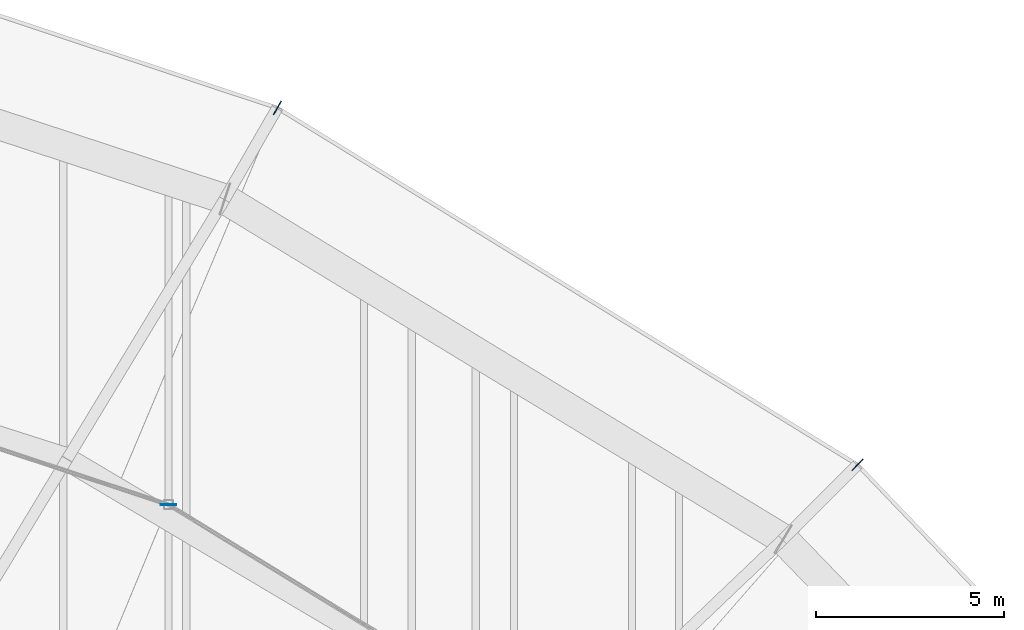
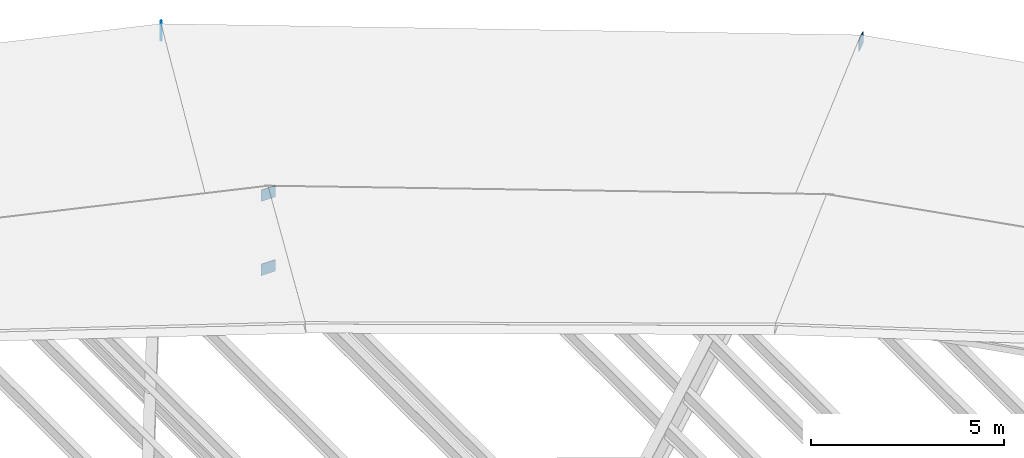
# One storey, part 180 of 184: 4 plates.
"""IFC4 building model written with IfcOpenShell, lengths in metres."""

from ifc_helpers import new_model, si_unit, direction, frame, origin, origin_2d, place, context, subcontext, project, spatial, rectangle, extrude, material, layer, layer_set, type_object, element, save


model = new_model("IFC4")

# Units and contexts
model_context = context("Model", 3, precision=1e-05, world=origin(), true_north=direction((0.0, 1.0)))
body_context = subcontext(model_context, "Body", "Model", "MODEL_VIEW")
ifc_project = project(units=[si_unit("LENGTHUNIT", "METRE"), si_unit("AREAUNIT", "SQUARE_METRE"), si_unit("VOLUMEUNIT", "CUBIC_METRE"), si_unit("PLANEANGLEUNIT", "RADIAN"), si_unit("MASSUNIT", "GRAM", prefix="KILO")], contexts=[model_context])

# Site, building, storey
site_placement = place(None, origin())
site = spatial("IfcSite", under=ifc_project, at=site_placement, CompositionType="ELEMENT")
building_placement = place(site_placement, origin())
building = spatial("IfcBuilding", under=site, at=building_placement, Name="Kalgoora Escarpment Arena", CompositionType="ELEMENT")
storey_placement = place(building_placement, frame((0.0, 0.0, 27.60009765625)))
storey = spatial("IfcBuildingStorey", under=building, at=storey_placement, Name="Roof Level", CompositionType="ELEMENT", Elevation=27.60009765625)

# Plates
ifc_material = material(Name="Structural steel Grade 350 (350 MPa)", Category="steel")
ifc_layer = layer(ifc_material, 0.02490234375)
ifc_layer_set = layer_set([ifc_layer], Name="PLT-GUSSET-25")
plate_type = type_object("IfcPlateType", Name="PLT-GUSSET-25", PredefinedType="USERDEFINED", material=ifc_layer_set)
for number, where, z_axis, x_axis, name in (
    (1, (145.150146484375, 106.284912109375, -1.18017578125), (0.0, 0.0, 1.0), (0.707106781187, 0.707106781187, 0.0), "Brace and post end gusset plate 158"),
    (2, (129.699951171875, 115.788330078125, -1.18017578125), (0.0, 0.0, 1.0), (0.5, 0.866025403784, 0.0), "Brace and post end gusset plate 159"),
    (3, (126.800048828125, 105.222900390625, -1.26025390625), (0.0, 0.0, 1.0), (1.0, 0.0, 0.0), "Brace and post end gusset plate 187"),
    (4, (126.800048828125, 105.222900390625, 1.0849609375), (0.0, 0.0, 1.0), (1.0, 0.0, 0.0), "Brace and post end gusset plate 188"),
):
    element("IfcPlate", number, at=place(storey_placement, frame(where, z_axis=z_axis, x_axis=x_axis)), inside=storey, type_object=plate_type, Name=name, ObjectType="FLANGE PLATE", PredefinedType="USERDEFINED", context=body_context, shape_type="SweptSolid", body=[
        extrude(rectangle(XDim=0.419921875, YDim=0.02490234375, at=origin_2d()), origin(), (0.0, 0.0, 1.0), 0.360107421875),
    ])

save(model, "model.ifc")
